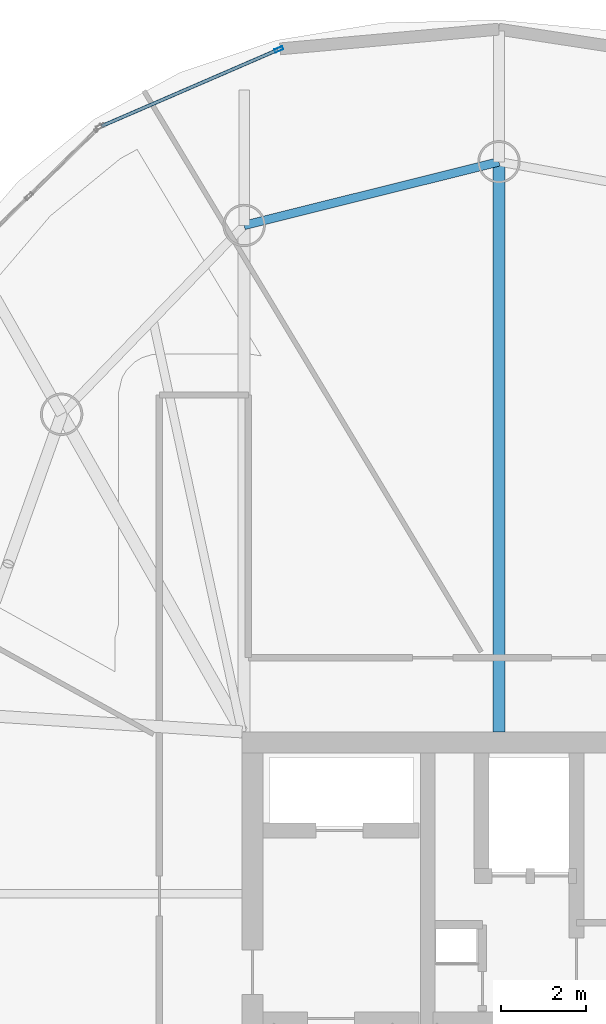
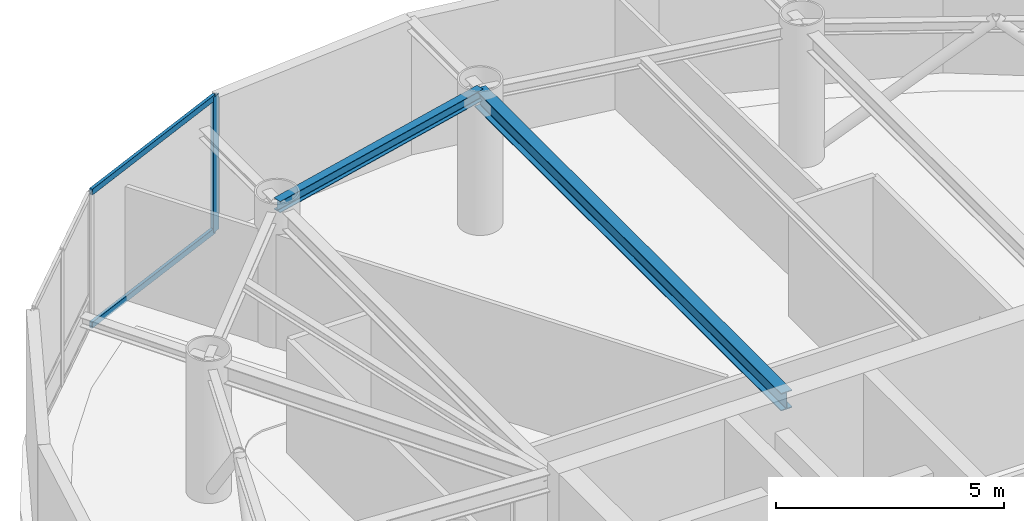
# One storey, part 12 of 21: 3 members, 2 beams, 1 element without a shape of its own.
"""IFC4 building model written with IfcOpenShell, lengths in metres."""

from ifc_helpers import new_model, si_unit, direction, frame, origin, origin_2d, place, context, subcontext, project, spatial, hollow_rectangle, i_section, extrude, material, layer, layer_set, material_profile, profile_set, type_object, element, aggregate, save


model = new_model("IFC4")

# Units and contexts
model_context = context("Model", 3, precision=1e-05, world=origin(), true_north=direction((0.0, 1.0)))
body_context = subcontext(model_context, "Body", "Model", "MODEL_VIEW")
ifc_project = project(units=[si_unit("LENGTHUNIT", "METRE"), si_unit("AREAUNIT", "SQUARE_METRE"), si_unit("VOLUMEUNIT", "CUBIC_METRE"), si_unit("PLANEANGLEUNIT", "RADIAN"), si_unit("MASSUNIT", "GRAM", prefix="KILO")], contexts=[model_context])

# Site, building, storey
site_placement = place(None, origin())
site = spatial("IfcSite", under=ifc_project, at=site_placement, CompositionType="ELEMENT")
building_placement = place(site_placement, origin())
building = spatial("IfcBuilding", under=site, at=building_placement, Name="Bramvorn Convention Spire", CompositionType="ELEMENT")
storey_placement = place(building_placement, frame((0.0, 0.0, 257.449951171875)))
storey = spatial("IfcBuildingStorey", under=building, at=storey_placement, Name="L65", CompositionType="ELEMENT", Elevation=257.449951171875)

# Beams
ifc_material_1 = material(Name="Steel CSA G40.21 Grade 350 (350W)", Category="steel")
ifc_material_profile_1 = material_profile(ifc_material_1, i_section(OverallWidth=0.202880859375, OverallDepth=0.302978515625, WebThickness=0.007568359375, FlangeThickness=0.01318359375, FilletRadius=0.013916015625, at=origin_2d()))
ifc_profile_set_1 = profile_set([ifc_material_profile_1], Name="Steel CSA G40.21 Grade 350 (350W) - W310X60")
beam_type_1 = type_object("IfcBeamType", Name="BM-W310X60", PredefinedType="JOIST", material=ifc_profile_set_1)
beam_1_placement = place(storey_placement, frame((32.8115234375, 46.90087890625, 3.4736328125), z_axis=(-0.970177255997, -0.24239655927, 0.0), x_axis=(0.24239655927, -0.970177255997, 0.0)))
element("IfcBeam", 1, at=beam_1_placement, inside=storey, type_object=beam_type_1, Name="L65 mega-column ring beam 08", PredefinedType="JOIST", context=body_context, shape_type="SweptSolid", body=[
    extrude(i_section(OverallWidth=0.202880859375, OverallDepth=0.302978515625, WebThickness=0.007568359375, FlangeThickness=0.01318359375, FilletRadius=0.013916015625, at=origin_2d()), origin(), (0.0, 0.0, 1.0), 6.1962890625),
])
ifc_material_profile_2 = material_profile(ifc_material_1, i_section(OverallWidth=0.283935546875, OverallDepth=0.47607421875, WebThickness=0.014892578125, FlangeThickness=0.02392578125, FilletRadius=0.01806640625, at=origin_2d()))
ifc_profile_set_2 = profile_set([ifc_material_profile_2], Name="Steel CSA G40.21 Grade 350 (350W) - W460X158")
beam_type_2 = type_object("IfcBeamType", Name="BM-W460X158", PredefinedType="SPANDREL", material=ifc_profile_set_2)
beam_2_placement = place(storey_placement, frame((32.8115234375, 33.449951171875, 3.386962890625), z_axis=(0.0, 1.0, 0.0), x_axis=(-1.0, 0.0, 0.0)))
element("IfcBeam", 2, at=beam_2_placement, inside=storey, type_object=beam_type_2, Name="L65 radial floor girder MC08", PredefinedType="SPANDREL", context=body_context, shape_type="SweptSolid", body=[
    extrude(i_section(OverallWidth=0.283935546875, OverallDepth=0.47607421875, WebThickness=0.014892578125, FlangeThickness=0.02392578125, FilletRadius=0.01806640625, at=origin_2d()), origin(), (0.0, 0.0, 1.0), 13.450927734375),
])

# Curtain wall, members
ifc_material_2 = material(Name="Anodised Bronze Unitised Curtain Wall", Category="aluminium")
ifc_layer = layer(ifc_material_2, 0.179931640625)
ifc_layer_set = layer_set([ifc_layer], Name="Anodised Bronze Unitised Curtain Wall - CW-OFF-FRIT")
curtain_wall_type = type_object("IfcCurtainWallType", Name="CW-OFF-FRIT", PredefinedType="USERDEFINED", material=ifc_layer_set)
curtain_wall_placement = place(storey_placement, origin())
curtain_wall = element("IfcCurtainWall", 3, at=curtain_wall_placement, inside=storey, type_object=curtain_wall_type, Name="L65 fritted glass curtain wall 12", ObjectType="UNITISED CURTAIN WALL", PredefinedType="USERDEFINED")
ifc_material_3 = material(Name="Anodised Bronze Aluminium 6063-T6", Category="aluminium")
ifc_material_profile_3 = material_profile(ifc_material_3, hollow_rectangle(XDim=0.080078125, YDim=0.199951171875, WallThickness=0.00390625, InnerFilletRadius=0.0009765625, OuterFilletRadius=0.00390625, at=origin_2d()))
ifc_profile_set_3 = profile_set([ifc_material_profile_3], Name="Anodised Bronze Aluminium 6063-T6 - CWM80X200")
member_type_1 = type_object("IfcMemberType", Name="CW-MUL-180", PredefinedType="MULLION", material=ifc_profile_set_3)
member_1_placement = place(storey_placement, frame((27.619873046875, 49.55224609375, 0.0), z_axis=(0.0, 0.0, 1.0), x_axis=(-0.397197057209, 0.917733347844, 0.0)))
member_1 = element("IfcMember", 4, at=member_1_placement, type_object=member_type_1, Name="CW3 mullion 2", PredefinedType="MULLION", context=body_context, shape_type="SweptSolid", body=[
    extrude(hollow_rectangle(XDim=0.080078125, YDim=0.199951171875, WallThickness=0.00390625, InnerFilletRadius=0.0009765625, OuterFilletRadius=0.00390625, at=origin_2d()), origin(), (0.0, 0.0, 1.0), 3.625),
])
ifc_material_profile_4 = material_profile(ifc_material_3, hollow_rectangle(XDim=0.080078125, YDim=0.159912109375, WallThickness=0.00390625, InnerFilletRadius=0.0009765625, OuterFilletRadius=0.00390625, at=origin_2d()))
ifc_profile_set_4 = profile_set([ifc_material_profile_4], Name="Anodised Bronze Aluminium 6063-T6 - CWT80X160")
member_type_2 = type_object("IfcMemberType", Name="CW-TRN-150", PredefinedType="USERDEFINED", material=ifc_profile_set_4)
member_2_placement = place(storey_placement, frame((23.434326171875, 47.74072265625, 0.030029296875), z_axis=(0.917734430304, 0.397194556149, 0.0), x_axis=(-0.397194556149, 0.917734430304, 0.0)))
member_2 = element("IfcMember", 5, at=member_2_placement, type_object=member_type_2, Name="CW3 transom 1.1", ObjectType="TRANSOM", PredefinedType="USERDEFINED", context=body_context, shape_type="SweptSolid", body=[
    extrude(hollow_rectangle(XDim=0.080078125, YDim=0.159912109375, WallThickness=0.00390625, InnerFilletRadius=0.0009765625, OuterFilletRadius=0.00390625, at=origin_2d()), origin(), (0.0, 0.0, 1.0), 4.53076171875),
])
member_3_placement = place(storey_placement, frame((23.434326171875, 47.74072265625, 3.594970703125), z_axis=(0.917734430304, 0.397194556149, 0.0), x_axis=(-0.397194556149, 0.917734430304, 0.0)))
member_3 = element("IfcMember", 6, at=member_3_placement, type_object=member_type_2, Name="CW3 transom 1.2", ObjectType="TRANSOM", PredefinedType="USERDEFINED", context=body_context, shape_type="SweptSolid", body=[
    extrude(hollow_rectangle(XDim=0.080078125, YDim=0.159912109375, WallThickness=0.00390625, InnerFilletRadius=0.0009765625, OuterFilletRadius=0.00390625, at=origin_2d()), origin(), (0.0, 0.0, 1.0), 4.53076171875),
])
aggregate(curtain_wall, [member_1, member_2, member_3])

save(model, "model.ifc")
